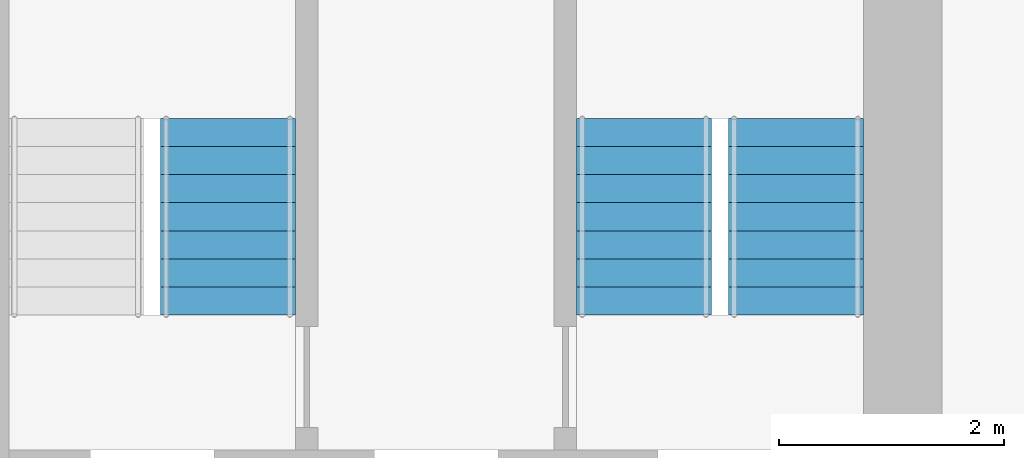
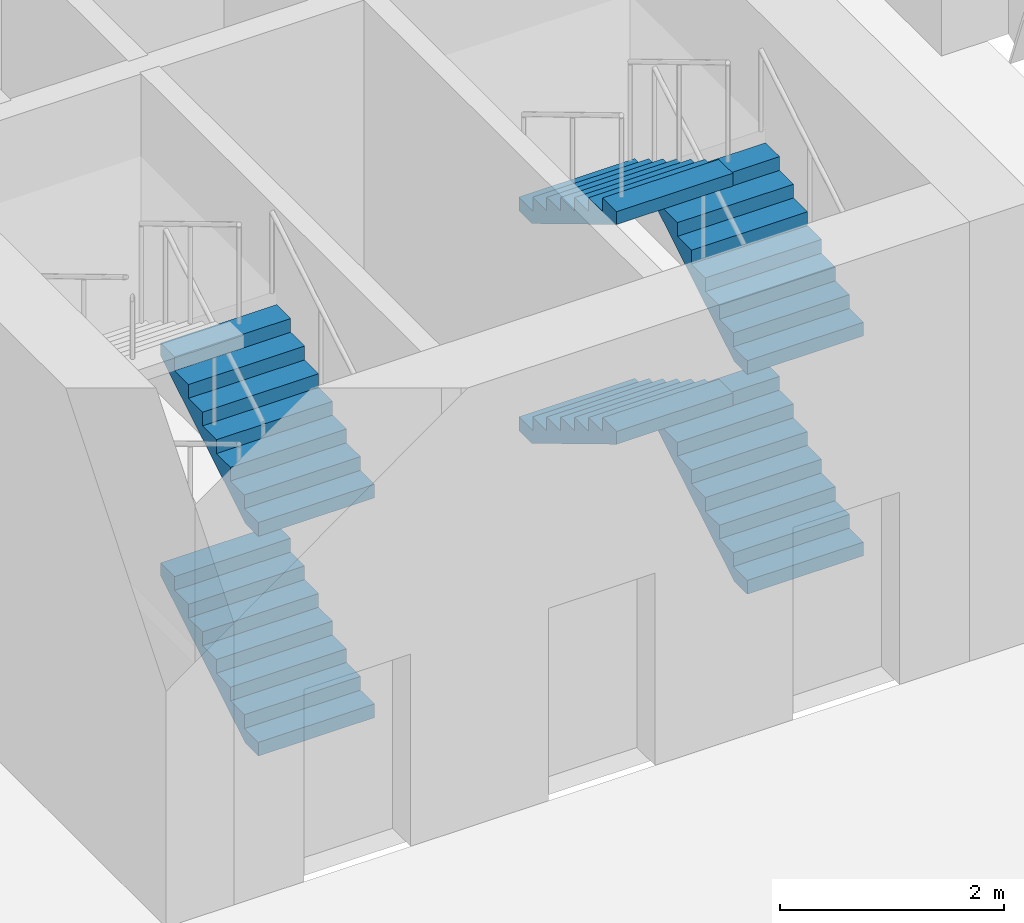
# One storey, part 7 of 9: 6 stair flights, 2 elements without a shape of their own.
"""IFC4 building model written with IfcOpenShell, lengths in metres."""

import ifcopenshell
import ifcopenshell.guid

model = None  # the IFC model being written
_history = None  # IfcOwnerHistory: only IFC2X3 demands one
_inside = {}  # id of a spatial element -> (the spatial element, [elements in it])
_under = {}  # id of a project, library or spatial element -> (it, [spatial elements below it])
_declared = {}  # id of a project -> (the project, [libraries it declares])
_typed = {}  # id of a type object -> (the type object, [elements of that type])
_made_of = {}  # id of a material, layer set ... -> (it, [elements and type objects made of it])


def new_model(schema):
    """Start an empty IFC model of exactly this schema.

    Asked for "IFC4X3", IfcOpenShell would pick the latest addendum, in which some entities
    have other attributes; the version numbers below select the first issue.
    IFC2X3 requires an IfcOwnerHistory on every rooted entity: one is made here for all.
    """
    global model, _history
    if schema == "IFC4X3":
        model = ifcopenshell.file(schema_version=(4, 3, 0, 0))
    else:
        model = ifcopenshell.file(schema=schema)
    _inside.clear()
    _under.clear()
    _declared.clear()
    _typed.clear()
    _made_of.clear()
    _history = None
    if model.schema == "IFC2X3":
        org = make("IfcOrganization", Name="unknown")
        user = make(
            "IfcPersonAndOrganization",
            ThePerson=make("IfcPerson", FamilyName="unknown"),
            TheOrganization=org,
        )
        app = make(
            "IfcApplication",
            ApplicationDeveloper=org,
            Version="unknown",
            ApplicationFullName="unknown",
            ApplicationIdentifier="unknown",
        )
        _history = make(
            "IfcOwnerHistory",
            OwningUser=user,
            OwningApplication=app,
            ChangeAction="ADDED",
            CreationDate=0,
        )
    return model


def make(cls, **values):
    """One entity of the class cls with the attributes given. An attribute that is None is left unset."""
    return model.create_entity(
        cls, **{name: value for name, value in values.items() if value is not None}
    )


def rooted(cls, **values):
    """An entity with a GlobalId (a new one), such as an element, a storey or a relation."""
    return make(cls, GlobalId=ifcopenshell.guid.new(), OwnerHistory=_history, **values)


def si_unit(unit_type, name, prefix=None):
    """IfcSIUnit, for example si_unit("LENGTHUNIT", "METRE", prefix="MILLI")."""
    return make("IfcSIUnit", UnitType=unit_type, Prefix=prefix, Name=name)


def assignment(units):
    """IfcUnitAssignment: the units of a project."""
    return None if units is None else make("IfcUnitAssignment", Units=units)


def point(xyz):
    """IfcCartesianPoint."""
    return None if xyz is None else make("IfcCartesianPoint", Coordinates=xyz)


def direction(xyz):
    """IfcDirection."""
    return None if xyz is None else make("IfcDirection", DirectionRatios=xyz)


def frame(location, z_axis=None, x_axis=None):
    """IfcAxis2Placement3D, a coordinate frame: its origin and axes. An axis left out is left unset."""
    return make(
        "IfcAxis2Placement3D",
        Location=point(location),
        Axis=direction(z_axis),
        RefDirection=direction(x_axis),
    )


def origin():
    """The frame at (0, 0, 0) with its axes left unset."""
    return frame((0.0, 0.0, 0.0))


def place(relative_to, where):
    """IfcLocalPlacement: puts the frame where relative to a parent placement (None: the world)."""
    return make(
        "IfcLocalPlacement", PlacementRelTo=relative_to, RelativePlacement=where
    )


def context(
    kind, dimensions, precision=None, world=None, true_north=None, identifier=None
):
    """IfcGeometricRepresentationContext, for example the 3D "Model" context."""
    return make(
        "IfcGeometricRepresentationContext",
        ContextIdentifier=identifier,
        ContextType=kind,
        CoordinateSpaceDimension=dimensions,
        Precision=precision,
        WorldCoordinateSystem=world,
        TrueNorth=true_north,
    )


def subcontext(parent, identifier, kind, view, scale=None):
    """IfcGeometricRepresentationSubContext, for example "Body" below "Model"."""
    return make(
        "IfcGeometricRepresentationSubContext",
        ContextIdentifier=identifier,
        ContextType=kind,
        ParentContext=parent,
        TargetScale=scale,
        TargetView=view,
    )


def project(units=None, contexts=None):
    """IfcProject with its units and contexts."""
    return rooted(
        "IfcProject",
        Name="project",
        RepresentationContexts=contexts,
        UnitsInContext=assignment(units),
    )


def spatial(cls, under=None, at=None, **own):
    """A site, building, storey or space (cls), placed at a placement, below another one or the project."""
    s = rooted(cls, ObjectPlacement=at, **own)
    if under is not None:
        _under.setdefault(under.id(), (under, []))[1].append(s)
    return s


def polyline(points):
    """IfcPolyline through the points."""
    return make("IfcPolyline", Points=[point(p) for p in points])


def outline(outer, holes=None, kind="AREA"):
    """IfcArbitraryClosedProfileDef: a profile drawn as a closed curve; with holes, ...WithVoids."""
    if holes is None:
        return make("IfcArbitraryClosedProfileDef", ProfileType=kind, OuterCurve=outer)
    return make(
        "IfcArbitraryProfileDefWithVoids",
        ProfileType=kind,
        OuterCurve=outer,
        InnerCurves=holes,
    )


def extrude(swept, where, along, depth):
    """IfcExtrudedAreaSolid: the profile swept, set in the frame where, extruded along a direction by depth."""
    return make(
        "IfcExtrudedAreaSolid",
        SweptArea=swept,
        Position=where,
        ExtrudedDirection=direction(along),
        Depth=depth,
    )


def shape(context_of_items, identifier, shape_type, items):
    """IfcShapeRepresentation: the items that make up one representation, for example the "Body"."""
    return make(
        "IfcShapeRepresentation",
        ContextOfItems=context_of_items,
        RepresentationIdentifier=identifier,
        RepresentationType=shape_type,
        Items=items,
    )


def material(Name=None, Category=None):
    """IfcMaterial."""
    return make("IfcMaterial", Name=Name, Category=Category)


def made_of(thing, what):
    """Note that an element or type object is made of a material, layer set ...; save() writes the relation."""
    if what is not None:
        _made_of.setdefault(what.id(), (what, []))[1].append(thing)
    return thing


def type_object(cls, material=None, **own):
    """A type object (cls), such as IfcWallType, which elements share."""
    return made_of(rooted(cls, **own), material)


def element(
    cls,
    number,
    at=None,
    inside=None,
    cuts=None,
    type_object=None,
    material=None,
    context=None,
    identifier="Body",
    shape_type=None,
    held_by="IfcProductDefinitionShape",
    body=None,
    shapes=None,
    **own,
):
    """One element of the class cls, such as IfcWall. Its Tag is "e" and its number.

    at: its placement. inside: the storey or other place that contains it. cuts: it is an
    opening in that element (IfcRelVoidsElement). A single representation is given by context,
    identifier, shape_type and body (its items); several are given by shapes. held_by: the class
    of the entity that holds the representations. save() writes the other relations.
    """
    e = rooted(cls, Tag="e%d" % number, ObjectPlacement=at, **own)
    if body is not None:
        shapes = [shape(context, identifier, shape_type, body)]
    if shapes is not None:
        e.Representation = make(held_by, Representations=shapes)
    if inside is not None:
        _inside.setdefault(inside.id(), (inside, []))[1].append(e)
    if cuts is not None:
        rooted(
            "IfcRelVoidsElement", RelatingBuildingElement=cuts, RelatedOpeningElement=e
        )
    if type_object is not None:
        _typed.setdefault(type_object.id(), (type_object, []))[1].append(e)
    return made_of(e, material)


def aggregate(whole, parts):
    """IfcRelAggregates: a whole, such as a stair, and the parts it consists of."""
    return rooted("IfcRelAggregates", RelatingObject=whole, RelatedObjects=parts)


def save(model, path):
    """Write the relations noted so far, then the file.

    IfcRelAggregates (storeys below a building ...), IfcRelContainedInSpatialStructure (elements
    in a storey), IfcRelDefinesByType, IfcRelAssociatesMaterial and IfcRelDeclares: one each for
    every whole, place, type object, material and project.
    """
    for whole, parts in _under.values():
        aggregate(whole, parts)
    for where, things in _inside.values():
        rooted(
            "IfcRelContainedInSpatialStructure",
            RelatedElements=things,
            RelatingStructure=where,
        )
    for kind, things in _typed.values():
        rooted("IfcRelDefinesByType", RelatedObjects=things, RelatingType=kind)
    for what, things in _made_of.values():
        rooted("IfcRelAssociatesMaterial", RelatedObjects=things, RelatingMaterial=what)
    for by, libraries in _declared.values():
        rooted("IfcRelDeclares", RelatingContext=by, RelatedDefinitions=libraries)
    model.write(path)


model = new_model("IFC4")

# Units and contexts
model_context = context("Model", 3, precision=1e-05, world=origin(), true_north=direction((0.0, 1.0)))
body_context = subcontext(model_context, "Body", "Model", "MODEL_VIEW")
ifc_project = project(units=[si_unit("LENGTHUNIT", "METRE"), si_unit("AREAUNIT", "SQUARE_METRE"), si_unit("VOLUMEUNIT", "CUBIC_METRE"), si_unit("PLANEANGLEUNIT", "RADIAN"), si_unit("MASSUNIT", "GRAM", prefix="KILO")], contexts=[model_context])

# Site, building, storey
site_placement = place(None, origin())
site = spatial("IfcSite", under=ifc_project, at=site_placement, CompositionType="ELEMENT")
building_placement = place(site_placement, origin())
building = spatial("IfcBuilding", under=site, at=building_placement, Name="Girih Gate Residences", CompositionType="ELEMENT")
storey_placement = place(building_placement, frame((0.0, 0.0, 75.199951171875)))
storey = spatial("IfcBuildingStorey", under=building, at=storey_placement, Name="L20", CompositionType="ELEMENT", Elevation=75.199951171875)

# Stair, stair flights
ifc_material = material(Name="Concrete C40/50", Category="concrete")
stair_type = type_object("IfcStairType", Name="Exit stair", PredefinedType="HALF_TURN_STAIR", material=ifc_material)
stair_1_placement = place(storey_placement, origin())
stair_1 = element("IfcStair", 1, at=stair_1_placement, inside=storey, type_object=stair_type, Name="L20 Exit Stair ST-E1", PredefinedType="HALF_TURN_STAIR")
stair_flight_type = type_object("IfcStairFlightType", Name="Stair flight 1200", PredefinedType="STRAIGHT", material=ifc_material)
stair_flight_1_placement = place(storey_placement, frame((43.699951171875, 28.89990234375, 0.0), z_axis=(0.0, 0.0, 1.0), x_axis=(0.0, 1.0, 0.0)))
stair_flight_1 = element("IfcStairFlight", 2, at=stair_flight_1_placement, type_object=stair_flight_type, Name="ST-E1 flight 1", NumberOfRisers=8, NumberOfTreads=7, PredefinedType="STRAIGHT", RiserHeight=0.15, TreadLength=0.25, context=body_context, shape_type="SweptSolid", body=[
    extrude(outline(polyline([(0.0, 0.0), (0.0, 0.0107421875), (0.0, 0.021484375), (0.0, 0.0322265625), (0.0, 0.04296875), (0.0, 0.053466796875), (0.0, 0.064208984375), (0.0, 0.074951171875), (0.0, 0.085693359375), (0.0, 0.096435546875), (0.0, 0.107177734375), (0.0, 0.117919921875), (0.0, 0.128662109375), (0.0, 0.139404296875), (0.0, 0.14990234375), (0.25, 0.14990234375), (0.25, 0.300048828125), (0.5, 0.300048828125), (0.5, 0.449951171875), (0.75, 0.449951171875), (0.75, 0.60009765625), (1.0, 0.60009765625), (1.0, 0.75), (1.25, 0.75), (1.25, 0.89990234375), (1.5, 0.89990234375), (1.5, 1.050048828125), (1.75, 1.050048828125), (1.75, 1.060791015625), (1.75, 1.071533203125), (1.75, 1.08203125), (1.75, 1.0927734375), (1.75, 1.103515625), (1.75, 1.1142578125), (1.75, 1.125), (1.75, 1.1357421875), (1.75, 1.146484375), (1.75, 1.1572265625), (1.75, 1.16796875), (1.75, 1.178466796875), (1.75, 1.189208984375), (1.75, 1.199951171875), (1.75, 1.17919921875), (1.75, 1.158447265625), (1.75, 1.137939453125), (1.75, 1.1171875), (1.75, 1.096435546875), (1.75, 1.07568359375), (1.75, 1.054931640625), (1.75, 1.0341796875), (1.75, 1.013427734375), (1.75, 0.992919921875), (1.75, 0.97216796875), (1.75, 0.951416015625), (1.75, 0.9306640625), (1.75, 0.909912109375), (0.2333984375, 0.0), (0.0, 0.0)])), frame((0.0, 0.60009765625, 0.0), z_axis=(0.0, -1.0, 0.0), x_axis=(1.0, 0.0, 0.0)), (0.0, 0.0, 1.0), 1.199951171875),
])
stair_flight_2_placement = place(storey_placement, frame((42.35009765625, 30.64990234375, 1.199951171875), z_axis=(0.0, 0.0, 1.0), x_axis=(0.0, -1.0, 0.0)))
stair_flight_2 = element("IfcStairFlight", 3, at=stair_flight_2_placement, type_object=stair_flight_type, Name="ST-E1 flight 2", NumberOfRisers=8, NumberOfTreads=7, PredefinedType="STRAIGHT", RiserHeight=0.15, TreadLength=0.25, context=body_context, shape_type="SweptSolid", body=[
    extrude(outline(polyline([(0.0, 0.0), (0.0, 0.0107421875), (0.0, 0.021484375), (0.0, 0.0322265625), (0.0, 0.04296875), (0.0, 0.053466796875), (0.0, 0.064208984375), (0.0, 0.074951171875), (0.0, 0.085693359375), (0.0, 0.096435546875), (0.0, 0.107177734375), (0.0, 0.117919921875), (0.0, 0.128662109375), (0.0, 0.139404296875), (0.0, 0.14990234375), (0.25, 0.14990234375), (0.25, 0.300048828125), (0.5, 0.300048828125), (0.5, 0.449951171875), (0.75, 0.449951171875), (0.75, 0.60009765625), (1.0, 0.60009765625), (1.0, 0.75), (1.25, 0.75), (1.25, 0.89990234375), (1.5, 0.89990234375), (1.5, 1.050048828125), (1.75, 1.050048828125), (1.75, 1.060791015625), (1.75, 1.071533203125), (1.75, 1.08203125), (1.75, 1.0927734375), (1.75, 1.103515625), (1.75, 1.1142578125), (1.75, 1.125), (1.75, 1.1357421875), (1.75, 1.146484375), (1.75, 1.1572265625), (1.75, 1.16796875), (1.75, 1.178466796875), (1.75, 1.189208984375), (1.75, 1.199951171875), (1.75, 1.17919921875), (1.75, 1.158447265625), (1.75, 1.137939453125), (1.75, 1.1171875), (1.75, 1.096435546875), (1.75, 1.07568359375), (1.75, 1.054931640625), (1.75, 1.0341796875), (1.75, 1.013427734375), (1.75, 0.992919921875), (1.75, 0.97216796875), (1.75, 0.951416015625), (1.75, 0.9306640625), (1.75, 0.909912109375), (0.2333984375, 0.0), (0.0, 0.0)])), frame((0.0, 0.60009765625, 0.0), z_axis=(0.0, -1.0, 0.0), x_axis=(1.0, 0.0, 0.0)), (0.0, 0.0, 1.0), 1.199951171875),
])
stair_flight_3_placement = place(storey_placement, frame((43.699951171875, 28.89990234375, 2.400146484375), z_axis=(0.0, 0.0, 1.0), x_axis=(0.0, 1.0, 0.0)))
stair_flight_3 = element("IfcStairFlight", 4, at=stair_flight_3_placement, type_object=stair_flight_type, Name="ST-E1 flight 3", NumberOfRisers=8, NumberOfTreads=7, PredefinedType="STRAIGHT", RiserHeight=0.15, TreadLength=0.25, context=body_context, shape_type="SweptSolid", body=[
    extrude(outline(polyline([(0.0, 0.0), (0.0, 0.0107421875), (0.0, 0.021484375), (0.0, 0.0322265625), (0.0, 0.04296875), (0.0, 0.053466796875), (0.0, 0.064208984375), (0.0, 0.074951171875), (0.0, 0.085693359375), (0.0, 0.096435546875), (0.0, 0.107177734375), (0.0, 0.117919921875), (0.0, 0.128662109375), (0.0, 0.139404296875), (0.0, 0.14990234375), (0.25, 0.14990234375), (0.25, 0.300048828125), (0.5, 0.300048828125), (0.5, 0.449951171875), (0.75, 0.449951171875), (0.75, 0.60009765625), (1.0, 0.60009765625), (1.0, 0.75), (1.25, 0.75), (1.25, 0.89990234375), (1.5, 0.89990234375), (1.5, 1.050048828125), (1.75, 1.050048828125), (1.75, 1.060791015625), (1.75, 1.071533203125), (1.75, 1.08203125), (1.75, 1.0927734375), (1.75, 1.103515625), (1.75, 1.1142578125), (1.75, 1.125), (1.75, 1.1357421875), (1.75, 1.146484375), (1.75, 1.1572265625), (1.75, 1.16796875), (1.75, 1.178466796875), (1.75, 1.189208984375), (1.75, 1.199951171875), (1.75, 1.17919921875), (1.75, 1.158447265625), (1.75, 1.137939453125), (1.75, 1.1171875), (1.75, 1.096435546875), (1.75, 1.07568359375), (1.75, 1.054931640625), (1.75, 1.0341796875), (1.75, 1.013427734375), (1.75, 0.992919921875), (1.75, 0.97216796875), (1.75, 0.951416015625), (1.75, 0.9306640625), (1.75, 0.909912109375), (0.2333984375, 0.0), (0.0, 0.0)])), frame((0.0, 0.60009765625, 0.0), z_axis=(0.0, -1.0, 0.0), x_axis=(1.0, 0.0, 0.0)), (0.0, 0.0, 1.0), 1.199951171875),
])
stair_flight_4_placement = place(storey_placement, frame((42.35009765625, 30.64990234375, 3.60009765625), z_axis=(0.0, 0.0, 1.0), x_axis=(0.0, -1.0, 0.0)))
stair_flight_4 = element("IfcStairFlight", 5, at=stair_flight_4_placement, type_object=stair_flight_type, Name="ST-E1 flight 4", NumberOfRisers=8, NumberOfTreads=7, PredefinedType="STRAIGHT", RiserHeight=0.15, TreadLength=0.25, context=body_context, shape_type="SweptSolid", body=[
    extrude(outline(polyline([(0.0, 0.0), (0.0, 0.0107421875), (0.0, 0.021484375), (0.0, 0.0322265625), (0.0, 0.04296875), (0.0, 0.053466796875), (0.0, 0.064208984375), (0.0, 0.074951171875), (0.0, 0.085693359375), (0.0, 0.096435546875), (0.0, 0.107177734375), (0.0, 0.117919921875), (0.0, 0.128662109375), (0.0, 0.139404296875), (0.0, 0.14990234375), (0.25, 0.14990234375), (0.25, 0.300048828125), (0.5, 0.300048828125), (0.5, 0.449951171875), (0.75, 0.449951171875), (0.75, 0.60009765625), (1.0, 0.60009765625), (1.0, 0.75), (1.25, 0.75), (1.25, 0.89990234375), (1.5, 0.89990234375), (1.5, 1.050048828125), (1.75, 1.050048828125), (1.75, 1.060791015625), (1.75, 1.071533203125), (1.75, 1.08203125), (1.75, 1.0927734375), (1.75, 1.103515625), (1.75, 1.1142578125), (1.75, 1.125), (1.75, 1.1357421875), (1.75, 1.146484375), (1.75, 1.1572265625), (1.75, 1.16796875), (1.75, 1.178466796875), (1.75, 1.189208984375), (1.75, 1.199951171875), (1.75, 1.17919921875), (1.75, 1.158447265625), (1.75, 1.137939453125), (1.75, 1.1171875), (1.75, 1.096435546875), (1.75, 1.07568359375), (1.75, 1.054931640625), (1.75, 1.0341796875), (1.75, 1.013427734375), (1.75, 0.992919921875), (1.75, 0.97216796875), (1.75, 0.951416015625), (1.75, 0.9306640625), (1.75, 0.909912109375), (0.2333984375, 0.0), (0.0, 0.0)])), frame((0.0, 0.60009765625, 0.0), z_axis=(0.0, -1.0, 0.0), x_axis=(1.0, 0.0, 0.0)), (0.0, 0.0, 1.0), 1.199951171875),
])
aggregate(stair_1, [stair_flight_1, stair_flight_2, stair_flight_3, stair_flight_4])

stair_2_placement = place(storey_placement, origin())
stair_2 = element("IfcStair", 6, at=stair_2_placement, inside=storey, type_object=stair_type, Name="L20 Exit Stair ST-E2", PredefinedType="HALF_TURN_STAIR")
stair_flight_5_placement = place(storey_placement, frame((38.64990234375, 28.89990234375, 0.0), z_axis=(0.0, 0.0, 1.0), x_axis=(0.0, 1.0, 0.0)))
stair_flight_5 = element("IfcStairFlight", 7, at=stair_flight_5_placement, type_object=stair_flight_type, Name="ST-E2 flight 1", NumberOfRisers=8, NumberOfTreads=7, PredefinedType="STRAIGHT", RiserHeight=0.15, TreadLength=0.25, context=body_context, shape_type="SweptSolid", body=[
    extrude(outline(polyline([(0.0, 0.0), (0.0, 0.0107421875), (0.0, 0.021484375), (0.0, 0.0322265625), (0.0, 0.04296875), (0.0, 0.053466796875), (0.0, 0.064208984375), (0.0, 0.074951171875), (0.0, 0.085693359375), (0.0, 0.096435546875), (0.0, 0.107177734375), (0.0, 0.117919921875), (0.0, 0.128662109375), (0.0, 0.139404296875), (0.0, 0.14990234375), (0.25, 0.14990234375), (0.25, 0.300048828125), (0.5, 0.300048828125), (0.5, 0.449951171875), (0.75, 0.449951171875), (0.75, 0.60009765625), (1.0, 0.60009765625), (1.0, 0.75), (1.25, 0.75), (1.25, 0.89990234375), (1.5, 0.89990234375), (1.5, 1.050048828125), (1.75, 1.050048828125), (1.75, 1.060791015625), (1.75, 1.071533203125), (1.75, 1.08203125), (1.75, 1.0927734375), (1.75, 1.103515625), (1.75, 1.1142578125), (1.75, 1.125), (1.75, 1.1357421875), (1.75, 1.146484375), (1.75, 1.1572265625), (1.75, 1.16796875), (1.75, 1.178466796875), (1.75, 1.189208984375), (1.75, 1.199951171875), (1.75, 1.17919921875), (1.75, 1.158447265625), (1.75, 1.137939453125), (1.75, 1.1171875), (1.75, 1.096435546875), (1.75, 1.07568359375), (1.75, 1.054931640625), (1.75, 1.0341796875), (1.75, 1.013427734375), (1.75, 0.992919921875), (1.75, 0.97216796875), (1.75, 0.951416015625), (1.75, 0.9306640625), (1.75, 0.909912109375), (0.2333984375, 0.0), (0.0, 0.0)])), frame((0.0, 0.60009765625, 0.0), z_axis=(0.0, -1.0, 0.0), x_axis=(1.0, 0.0, 0.0)), (0.0, 0.0, 1.0), 1.199951171875),
])
stair_flight_6_placement = place(storey_placement, frame((38.64990234375, 28.89990234375, 2.400146484375), z_axis=(0.0, 0.0, 1.0), x_axis=(0.0, 1.0, 0.0)))
stair_flight_6 = element("IfcStairFlight", 8, at=stair_flight_6_placement, type_object=stair_flight_type, Name="ST-E2 flight 3", NumberOfRisers=8, NumberOfTreads=7, PredefinedType="STRAIGHT", RiserHeight=0.15, TreadLength=0.25, context=body_context, shape_type="SweptSolid", body=[
    extrude(outline(polyline([(0.0, 0.0), (0.0, 0.0107421875), (0.0, 0.021484375), (0.0, 0.0322265625), (0.0, 0.04296875), (0.0, 0.053466796875), (0.0, 0.064208984375), (0.0, 0.074951171875), (0.0, 0.085693359375), (0.0, 0.096435546875), (0.0, 0.107177734375), (0.0, 0.117919921875), (0.0, 0.128662109375), (0.0, 0.139404296875), (0.0, 0.14990234375), (0.25, 0.14990234375), (0.25, 0.300048828125), (0.5, 0.300048828125), (0.5, 0.449951171875), (0.75, 0.449951171875), (0.75, 0.60009765625), (1.0, 0.60009765625), (1.0, 0.75), (1.25, 0.75), (1.25, 0.89990234375), (1.5, 0.89990234375), (1.5, 1.050048828125), (1.75, 1.050048828125), (1.75, 1.060791015625), (1.75, 1.071533203125), (1.75, 1.08203125), (1.75, 1.0927734375), (1.75, 1.103515625), (1.75, 1.1142578125), (1.75, 1.125), (1.75, 1.1357421875), (1.75, 1.146484375), (1.75, 1.1572265625), (1.75, 1.16796875), (1.75, 1.178466796875), (1.75, 1.189208984375), (1.75, 1.199951171875), (1.75, 1.17919921875), (1.75, 1.158447265625), (1.75, 1.137939453125), (1.75, 1.1171875), (1.75, 1.096435546875), (1.75, 1.07568359375), (1.75, 1.054931640625), (1.75, 1.0341796875), (1.75, 1.013427734375), (1.75, 0.992919921875), (1.75, 0.97216796875), (1.75, 0.951416015625), (1.75, 0.9306640625), (1.75, 0.909912109375), (0.2333984375, 0.0), (0.0, 0.0)])), frame((0.0, 0.60009765625, 0.0), z_axis=(0.0, -1.0, 0.0), x_axis=(1.0, 0.0, 0.0)), (0.0, 0.0, 1.0), 1.199951171875),
])
aggregate(stair_2, [stair_flight_5, stair_flight_6])

save(model, "model.ifc")
